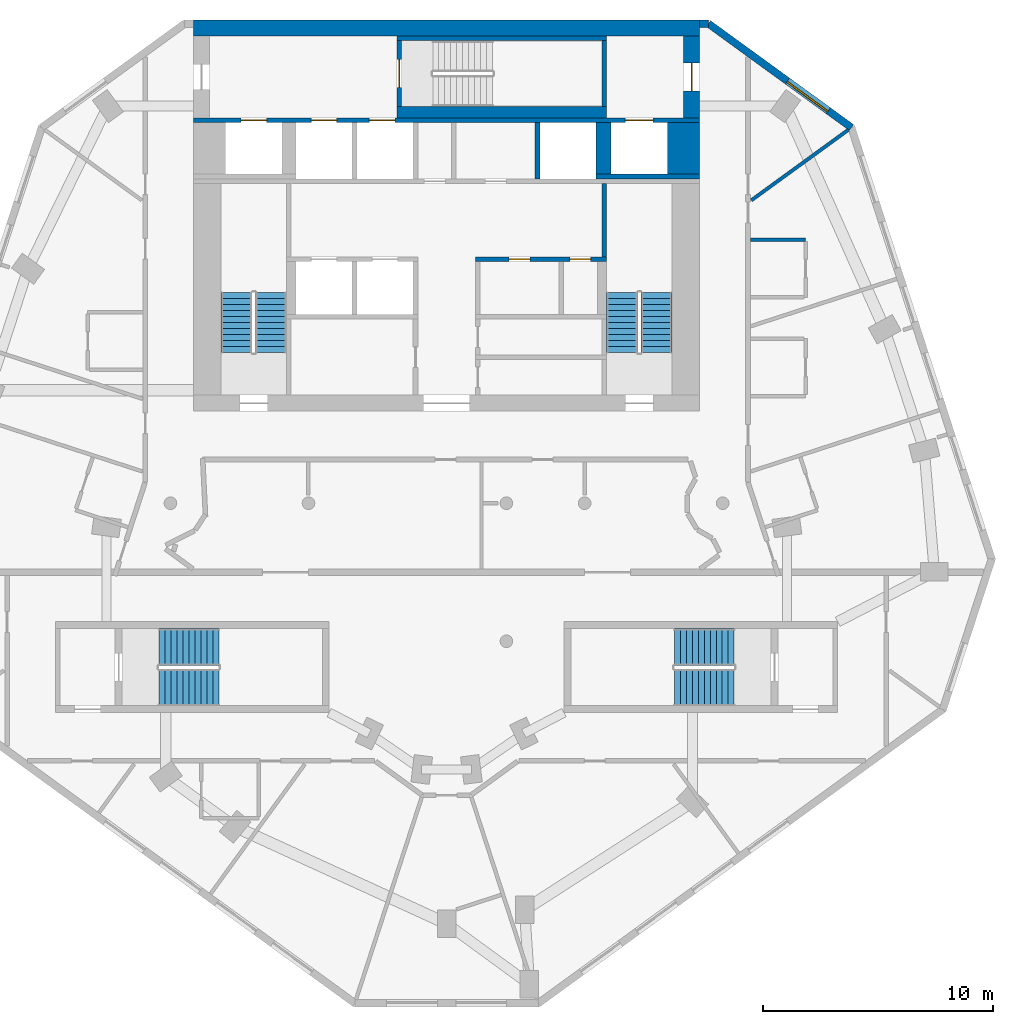
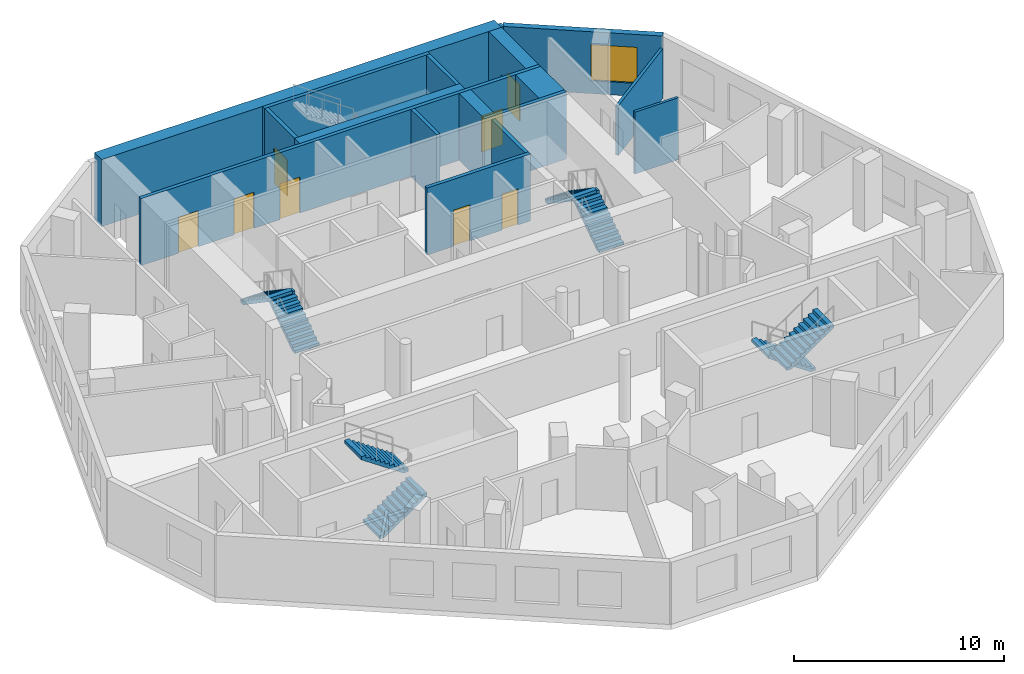
# One storey, part 6 of 9: 17 walls, 8 doors, 8 stair flights, 1 window, 9 openings, 4 elements without a shape of their own.
"""IFC4 building model written with IfcOpenShell, lengths in metres."""

from ifc_helpers import new_model, si_unit, direction, frame, frame_2d, origin, place, context, subcontext, project, spatial, polyline, rectangle, outline, extrude, material, layer, layer_set, type_object, element, fill, aggregate, save


model = new_model("IFC4")

# Units and contexts
model_context = context("Model", 3, precision=1e-05, world=origin(), true_north=direction((0.0, 1.0)))
body_context = subcontext(model_context, "Body", "Model", "MODEL_VIEW")
ifc_project = project(units=[si_unit("LENGTHUNIT", "METRE"), si_unit("AREAUNIT", "SQUARE_METRE"), si_unit("VOLUMEUNIT", "CUBIC_METRE"), si_unit("PLANEANGLEUNIT", "RADIAN"), si_unit("MASSUNIT", "GRAM", prefix="KILO")], contexts=[model_context])

# Site, building, storey
site_placement = place(None, origin())
site = spatial("IfcSite", under=ifc_project, at=site_placement, CompositionType="ELEMENT")
building_placement = place(site_placement, origin())
building = spatial("IfcBuilding", under=site, at=building_placement, Name="White Candle Pilgrim Tower", CompositionType="ELEMENT")
storey_placement = place(building_placement, frame((0.0, 0.0, 252.199951171875)))
storey = spatial("IfcBuildingStorey", under=building, at=storey_placement, Name="L59", CompositionType="ELEMENT", Elevation=252.199951171875)

# Walls
ifc_material_1 = material(Name="Concrete C50/60", Category="concrete")
ifc_layer_1 = layer(ifc_material_1, 1.39990234375)
ifc_layer_set_1 = layer_set([ifc_layer_1], Name="Core wall 1400 mm Concrete C50/60")
wall_type_1 = type_object("IfcWallType", Name="Core wall 1400 mm Concrete C50/60", PredefinedType="SHEAR", material=ifc_layer_set_1)
wall_1_placement = place(storey_placement, frame((80.300048828125, 81.300048828125, 0.0), z_axis=(0.0, 0.0, 1.0), x_axis=(0.0, 1.0, 0.0)))
element("IfcWall", 1, at=wall_1_placement, inside=storey, type_object=wall_type_1, Name="WL-L59-C43", PredefinedType="SHEAR", context=body_context, shape_type="SweptSolid", body=[
    extrude(rectangle(XDim=2.25, YDim=1.39990234375, at=frame_2d((1.125, 0.0))), origin(), (0.0, 0.0, 1.0), 3.900146484375),
])
ifc_layer_2 = layer(ifc_material_1, 0.199951171875)
ifc_layer_set_2 = layer_set([ifc_layer_2], Name="Core wall 200 mm Concrete C50/60")
wall_type_2 = type_object("IfcWallType", Name="Core wall 200 mm Concrete C50/60", PredefinedType="SHEAR", material=ifc_layer_set_2)
wall_2_placement = place(storey_placement, frame((76.5, 81.199951171875, 0.0), z_axis=(0.0, 0.0, 1.0), x_axis=(1.0, 0.0, 0.0)))
element("IfcWall", 2, at=wall_2_placement, inside=storey, type_object=wall_type_2, Name="WL-L59-C39", PredefinedType="SHEAR", context=body_context, shape_type="SweptSolid", body=[
    extrude(rectangle(XDim=4.5, YDim=0.199951171875, at=frame_2d((2.25, 0.0))), origin(), (0.0, 0.0, 1.0), 3.900146484375),
])

# Wall, openings, doors
wall_3_placement = place(storey_placement, frame((59.0, 83.64990234375, 0.0), z_axis=(0.0, 0.0, 1.0), x_axis=(1.0, 0.0, 0.0)))
wall_3 = element("IfcWall", 3, at=wall_3_placement, inside=storey, type_object=wall_type_2, Name="WL-L59-C44", PredefinedType="SHEAR", context=body_context, shape_type="SweptSolid", body=[
    extrude(rectangle(XDim=22.0, YDim=0.199951171875, at=frame_2d((11.0, 0.0))), origin(), (0.0, 0.0, 1.0), 3.900146484375),
])
opening_1_placement = place(wall_3_placement, frame((5.125, 0.0, 0.0)))
opening_1 = element("IfcOpeningElement", 4, at=opening_1_placement, cuts=wall_3, Name="Opening T18-016", PredefinedType="OPENING", context=body_context, shape_type="SweptSolid", body=[
    extrude(rectangle(XDim=1.10009765625, YDim=2.10009765625, at=frame_2d((0.550048828125, 1.050048828125))), frame((0.0, 0.10986328125, 0.0), z_axis=(0.0, -1.0, 0.0), x_axis=(1.0, 0.0, 0.0)), (0.0, 0.0, 1.0), 0.219970703125),
])
opening_2_placement = place(wall_3_placement, frame((7.64990234375, 0.0, 0.0)))
opening_2 = element("IfcOpeningElement", 5, at=opening_2_placement, cuts=wall_3, Name="Opening T18-017", PredefinedType="OPENING", context=body_context, shape_type="SweptSolid", body=[
    extrude(rectangle(XDim=1.10009765625, YDim=2.10009765625, at=frame_2d((0.550048828125, 1.050048828125))), frame((0.0, 0.10986328125, 0.0), z_axis=(0.0, -1.0, 0.0), x_axis=(1.0, 0.0, 0.0)), (0.0, 0.0, 1.0), 0.219970703125),
])
opening_3_placement = place(wall_3_placement, frame((18.77490234375, 0.0, 0.0)))
opening_3 = element("IfcOpeningElement", 6, at=opening_3_placement, cuts=wall_3, Name="Opening T18-018", PredefinedType="OPENING", context=body_context, shape_type="SweptSolid", body=[
    extrude(rectangle(XDim=1.199951171875, YDim=2.10009765625, at=frame_2d((0.60009765625, 1.050048828125))), frame((0.0, 0.10986328125, 0.0), z_axis=(0.0, -1.0, 0.0), x_axis=(1.0, 0.0, 0.0)), (0.0, 0.0, 1.0), 0.219970703125),
])
opening_4_placement = place(wall_3_placement, frame((2.074951171875, 0.0, 0.0)))
opening_4 = element("IfcOpeningElement", 7, at=opening_4_placement, cuts=wall_3, Name="Opening T18-019", PredefinedType="OPENING", context=body_context, shape_type="SweptSolid", body=[
    extrude(rectangle(XDim=1.10009765625, YDim=2.10009765625, at=frame_2d((0.550048828125, 1.050048828125))), frame((0.0, 0.10986328125, 0.0), z_axis=(0.0, -1.0, 0.0), x_axis=(1.0, 0.0, 0.0)), (0.0, 0.0, 1.0), 0.219970703125),
])
ifc_material_2 = material(Name="Stainless steel", Category="steel")
door_type_1 = type_object("IfcDoorType", Name="Lift landing door 1100 x 2100 EI 60", OperationType="DOUBLE_DOOR_SLIDING", PredefinedType="DOOR", material=ifc_material_2)
door_1_placement = place(opening_1_placement, origin())
door_1 = element("IfcDoor", 8, at=door_1_placement, inside=storey, type_object=door_type_1, Name="Door T18-016", OperationType="DOUBLE_DOOR_SLIDING", OverallHeight=2.10009765625, OverallWidth=1.10009765625, PredefinedType="DOOR", context=body_context, shape_type="SweptSolid", body=[
    extrude(rectangle(XDim=1.10009765625, YDim=2.10009765625, at=frame_2d((0.550048828125, 1.050048828125))), frame((0.0, 0.02490234375, 0.0), z_axis=(0.0, -1.0, 0.0), x_axis=(1.0, 0.0, 0.0)), (0.0, 0.0, 1.0), 0.050048828125),
])
fill(opening_1, door_1)
door_2_placement = place(opening_2_placement, origin())
door_2 = element("IfcDoor", 9, at=door_2_placement, inside=storey, type_object=door_type_1, Name="Door T18-017", OperationType="DOUBLE_DOOR_SLIDING", OverallHeight=2.10009765625, OverallWidth=1.10009765625, PredefinedType="DOOR", context=body_context, shape_type="SweptSolid", body=[
    extrude(rectangle(XDim=1.10009765625, YDim=2.10009765625, at=frame_2d((0.550048828125, 1.050048828125))), frame((0.0, 0.02490234375, 0.0), z_axis=(0.0, -1.0, 0.0), x_axis=(1.0, 0.0, 0.0)), (0.0, 0.0, 1.0), 0.050048828125),
])
fill(opening_2, door_2)
door_3_placement = place(opening_4_placement, origin())
door_3 = element("IfcDoor", 10, at=door_3_placement, inside=storey, type_object=door_type_1, Name="Door T18-019", OperationType="DOUBLE_DOOR_SLIDING", OverallHeight=2.10009765625, OverallWidth=1.10009765625, PredefinedType="DOOR", context=body_context, shape_type="SweptSolid", body=[
    extrude(rectangle(XDim=1.10009765625, YDim=2.10009765625, at=frame_2d((0.550048828125, 1.050048828125))), frame((0.0, 0.02490234375, 0.0), z_axis=(0.0, -1.0, 0.0), x_axis=(1.0, 0.0, 0.0)), (0.0, 0.0, 1.0), 0.050048828125),
])
fill(opening_4, door_3)
door_type_2 = type_object("IfcDoorType", Name="Lift landing door 1200 x 2100 E 60", OperationType="DOUBLE_DOOR_SLIDING", PredefinedType="DOOR", material=ifc_material_2)
door_4_placement = place(opening_3_placement, origin())
door_4 = element("IfcDoor", 11, at=door_4_placement, inside=storey, type_object=door_type_2, Name="Door T18-018", OperationType="DOUBLE_DOOR_SLIDING", OverallHeight=2.10009765625, OverallWidth=1.199951171875, PredefinedType="DOOR", context=body_context, shape_type="SweptSolid", body=[
    extrude(rectangle(XDim=1.199951171875, YDim=2.10009765625, at=frame_2d((0.60009765625, 1.050048828125))), frame((0.0, 0.02490234375, 0.0), z_axis=(0.0, -1.0, 0.0), x_axis=(1.0, 0.0, 0.0)), (0.0, 0.0, 1.0), 0.050048828125),
])
fill(opening_3, door_4)

# Wall, opening, door
ifc_layer_3 = layer(ifc_material_1, 0.699951171875)
ifc_layer_set_3 = layer_set([ifc_layer_3], Name="Core wall 700 mm Concrete C50/60")
wall_type_3 = type_object("IfcWallType", Name="Core wall 700 mm Concrete C50/60", PredefinedType="SHEAR", material=ifc_layer_set_3)
wall_4_placement = place(storey_placement, frame((80.64990234375, 83.75, 0.0), z_axis=(0.0, 0.0, 1.0), x_axis=(0.0, 1.0, 0.0)))
wall_4 = element("IfcWall", 12, at=wall_4_placement, inside=storey, type_object=wall_type_3, Name="WL-L59-C47", PredefinedType="SHEAR", context=body_context, shape_type="SweptSolid", body=[
    extrude(rectangle(XDim=3.550048828125, YDim=0.699951171875, at=frame_2d((1.77490234375, 0.0))), origin(), (0.0, 0.0, 1.0), 3.900146484375),
])
opening_5_placement = place(wall_4_placement, frame((1.175048828125, 0.0, 0.0)))
opening_5 = element("IfcOpeningElement", 13, at=opening_5_placement, cuts=wall_4, Name="Opening T18-009", PredefinedType="OPENING", context=body_context, shape_type="SweptSolid", body=[
    extrude(rectangle(XDim=1.199951171875, YDim=2.10009765625, at=frame_2d((0.60009765625, 1.050048828125))), frame((0.0, 0.35986328125, 0.0), z_axis=(0.0, -1.0, 0.0), x_axis=(1.0, 0.0, 0.0)), (0.0, 0.0, 1.0), 0.719970703125),
])
ifc_material_3 = material(Name="Steel door leaf", Category="steel")
door_type_3 = type_object("IfcDoorType", Name="Fire door 1200 x 2100 EI 30", OperationType="NOTDEFINED", PredefinedType="DOOR", material=ifc_material_3)
door_5_placement = place(opening_5_placement, origin())
door_5 = element("IfcDoor", 14, at=door_5_placement, inside=storey, type_object=door_type_3, Name="Door T18-009", OperationType="SINGLE_SWING_LEFT", OverallHeight=2.10009765625, OverallWidth=1.199951171875, PredefinedType="DOOR", context=body_context, shape_type="SweptSolid", body=[
    extrude(rectangle(XDim=1.199951171875, YDim=2.10009765625, at=frame_2d((0.60009765625, 1.050048828125))), frame((0.0, 0.02490234375, 0.0), z_axis=(0.0, -1.0, 0.0), x_axis=(1.0, 0.0, 0.0)), (0.0, 0.0, 1.0), 0.050048828125),
])
fill(opening_5, door_5)

# Wall
wall_5_placement = place(storey_placement, frame((59.0, 87.64990234375, 0.0), z_axis=(0.0, 0.0, 1.0), x_axis=(1.0, 0.0, 0.0)))
element("IfcWall", 15, at=wall_5_placement, inside=storey, type_object=wall_type_3, Name="WL-L59-C51", PredefinedType="SHEAR", context=body_context, shape_type="SweptSolid", body=[
    extrude(rectangle(XDim=22.0, YDim=0.699951171875, at=frame_2d((11.0, 0.0))), origin(), (0.0, 0.0, 1.0), 3.900146484375),
])

# Wall, opening, window
ifc_material_4 = material(Name="Precast concrete C40/50", Category="concrete")
ifc_layer_4 = layer(ifc_material_4, 0.320068359375)
ifc_layer_set_4 = layer_set([ifc_layer_4], Name="Facade wall EW1 precast concrete C40/50 pier wall with timber-lined reveals")
wall_type_4 = type_object("IfcWallType", Name="Facade wall EW1 precast concrete C40/50 pier wall with timber-lined reveals", PredefinedType="SOLIDWALL", material=ifc_layer_set_4)
wall_6_placement = place(storey_placement, frame((87.5966796875, 83.326904296875, 0.0), z_axis=(0.0, 0.0, 1.0), x_axis=(-0.809008247786, 0.587797290751, 0.0)))
wall_6 = element("IfcWall", 16, at=wall_6_placement, inside=storey, type_object=wall_type_4, Name="Facade wall L59 NE chamfer", PredefinedType="SOLIDWALL", context=body_context, shape_type="SweptSolid", body=[
    extrude(rectangle(XDim=7.67822265625, YDim=0.320068359375, at=frame_2d((3.839111328125, 0.0))), origin(), (0.0, 0.0, 1.0), 3.60009765625),
])
opening_6_placement = place(wall_6_placement, frame((1.239013671875, 0.0, 0.75)))
opening_6 = element("IfcOpeningElement", 17, at=opening_6_placement, cuts=wall_6, Name="Opening W4", PredefinedType="OPENING", context=body_context, shape_type="SweptSolid", body=[
    extrude(rectangle(XDim=2.199951171875, YDim=2.10009765625, at=frame_2d((1.10009765625, 1.050048828125))), frame((0.0, 0.169921875, 0.0), z_axis=(0.0, -1.0, 0.0), x_axis=(1.0, 0.0, 0.0)), (0.0, 0.0, 1.0), 0.340087890625),
])
ifc_material_5 = material(Name="Timber frame with triple glazing", Category="wood")
window_type = type_object("IfcWindowType", Name="Window W4 2200x2100 timber frame triple glazing", PartitioningType="SINGLE_PANEL", PredefinedType="WINDOW", material=ifc_material_5)
window_placement = place(opening_6_placement, origin())
window = element("IfcWindow", 18, at=window_placement, inside=storey, type_object=window_type, Name="Window W4 L59 NE chamfer 1", OverallHeight=2.10009765625, OverallWidth=2.199951171875, PartitioningType="SINGLE_PANEL", PredefinedType="WINDOW", context=body_context, shape_type="SweptSolid", body=[
    extrude(rectangle(XDim=2.199951171875, YDim=2.10009765625, at=frame_2d((1.10009765625, 1.050048828125))), frame((0.0, 0.070068359375, 0.0), z_axis=(0.0, -1.0, 0.0), x_axis=(1.0, 0.0, 0.0)), (0.0, 0.0, 1.0), 0.06005859375),
])
fill(opening_6, window)

# Walls
wall_7_placement = place(storey_placement, frame((81.385009765625, 87.840087890625, 0.0), z_axis=(0.0, 0.0, 1.0), x_axis=(-1.0, 0.0, 0.0)))
element("IfcWall", 19, at=wall_7_placement, inside=storey, type_object=wall_type_4, Name="Facade wall L59 N", PredefinedType="SOLIDWALL", context=body_context, shape_type="SweptSolid", body=[
    extrude(rectangle(XDim=0.385009765625, YDim=0.320068359375, at=frame_2d((0.1923828125, 0.0))), origin(), (0.0, 0.0, 1.0), 3.60009765625),
])
ifc_material_6 = material(Name="Gypsum board on steel studs", Category="steel")
ifc_layer_5 = layer(ifc_material_6, 0.14990234375)
ifc_layer_set_5 = layer_set([ifc_layer_5], Name="Partition 150 mm EI 60")
wall_type_5 = type_object("IfcWallType", Name="Partition 150 mm EI 60", PredefinedType="PARTITIONING", material=ifc_layer_set_5)
wall_8_placement = place(storey_placement, frame((87.460693359375, 83.22802734375, 0.0), z_axis=(0.0, 0.0, 1.0), x_axis=(-0.809019578294, -0.587781695816, 0.0)))
element("IfcWall", 20, at=wall_8_placement, inside=storey, type_object=wall_type_5, Name="WL-L59-P030", PredefinedType="PARTITIONING", context=body_context, shape_type="SweptSolid", body=[
    extrude(rectangle(XDim=5.2119140625, YDim=0.14990234375, at=frame_2d((2.60595703125, 0.0))), origin(), (0.0, 0.0, 1.0), 2.900146484375),
])
wall_9_placement = place(storey_placement, frame((83.199951171875, 78.451171875, 0.0), z_axis=(0.0, 0.0, 1.0), x_axis=(1.0, 0.0, 0.0)))
element("IfcWall", 21, at=wall_9_placement, inside=storey, type_object=wall_type_5, Name="WL-L59-P051", PredefinedType="PARTITIONING", context=body_context, shape_type="SweptSolid", body=[
    extrude(rectangle(XDim=2.400146484375, YDim=0.14990234375, at=frame_2d((1.2001953125, 0.0))), origin(), (0.0, 0.0, 1.0), 3.60009765625),
])
ifc_layer_6 = layer(ifc_material_1, 0.199951171875)
ifc_layer_set_6 = layer_set([ifc_layer_6], Name="Shaft wall 200 mm Concrete C50/60")
wall_type_6 = type_object("IfcWallType", Name="Shaft wall 200 mm Concrete C50/60", PredefinedType="SHEAR", material=ifc_layer_set_6)
wall_10_placement = place(storey_placement, frame((73.949951171875, 81.10009765625, 0.0), z_axis=(0.0, 0.0, 1.0), x_axis=(0.0, 1.0, 0.0)))
element("IfcWall", 22, at=wall_10_placement, inside=storey, type_object=wall_type_6, Name="WL-L59-C38", PredefinedType="SHEAR", context=body_context, shape_type="SweptSolid", body=[
    extrude(rectangle(XDim=2.449951171875, YDim=0.199951171875, at=frame_2d((1.22509765625, 0.0))), origin(), (0.0, 0.0, 1.0), 3.900146484375),
])
ifc_layer_7 = layer(ifc_material_1, 0.64990234375)
ifc_layer_set_7 = layer_set([ifc_layer_7], Name="Shaft wall 650 mm Concrete C50/60")
wall_type_7 = type_object("IfcWallType", Name="Shaft wall 650 mm Concrete C50/60", PredefinedType="SHEAR", material=ifc_layer_set_7)
wall_11_placement = place(storey_placement, frame((76.824951171875, 81.300048828125, 0.0), z_axis=(0.0, 0.0, 1.0), x_axis=(0.0, 1.0, 0.0)))
element("IfcWall", 23, at=wall_11_placement, inside=storey, type_object=wall_type_7, Name="WL-L59-C42", PredefinedType="SHEAR", context=body_context, shape_type="SweptSolid", body=[
    extrude(rectangle(XDim=2.25, YDim=0.64990234375, at=frame_2d((1.125, 0.0))), origin(), (0.0, 0.0, 1.0), 3.900146484375),
])

# Wall, openings, doors
ifc_layer_8 = layer(ifc_material_1, 0.199951171875)
ifc_layer_set_8 = layer_set([ifc_layer_8], Name="Stair shaft wall 200 mm Concrete C50/60")
wall_type_8 = type_object("IfcWallType", Name="Stair shaft wall 200 mm Concrete C50/60", PredefinedType="SHEAR", material=ifc_layer_set_8)
wall_12_placement = place(storey_placement, frame((71.25, 77.60009765625, 0.0), z_axis=(0.0, 0.0, 1.0), x_axis=(1.0, 0.0, 0.0)))
wall_12 = element("IfcWall", 24, at=wall_12_placement, inside=storey, type_object=wall_type_8, Name="WL-L59-C30", PredefinedType="SHEAR", context=body_context, shape_type="SweptSolid", body=[
    extrude(rectangle(XDim=5.699951171875, YDim=0.199951171875, at=frame_2d((2.85009765625, 0.0))), origin(), (0.0, 0.0, 1.0), 3.900146484375),
])
opening_7_placement = place(wall_12_placement, frame((1.465087890625, 0.0, 0.0)))
opening_7 = element("IfcOpeningElement", 25, at=opening_7_placement, cuts=wall_12, Name="Opening T18-020", PredefinedType="OPENING", context=body_context, shape_type="SweptSolid", body=[
    extrude(rectangle(XDim=0.89990234375, YDim=2.10009765625, at=frame_2d((0.449951171875, 1.050048828125))), frame((0.0, 0.10986328125, 0.0), z_axis=(0.0, -1.0, 0.0), x_axis=(1.0, 0.0, 0.0)), (0.0, 0.0, 1.0), 0.219970703125),
])
opening_8_placement = place(wall_12_placement, frame((4.114990234375, 0.0, 0.0)))
opening_8 = element("IfcOpeningElement", 26, at=opening_8_placement, cuts=wall_12, Name="Opening T18-021", PredefinedType="OPENING", context=body_context, shape_type="SweptSolid", body=[
    extrude(rectangle(XDim=0.89990234375, YDim=2.10009765625, at=frame_2d((0.449951171875, 1.050048828125))), frame((0.0, 0.10986328125, 0.0), z_axis=(0.0, -1.0, 0.0), x_axis=(1.0, 0.0, 0.0)), (0.0, 0.0, 1.0), 0.219970703125),
])
door_type_4 = type_object("IfcDoorType", Name="Fire door 900 x 2100 EI 30", OperationType="NOTDEFINED", PredefinedType="DOOR", material=ifc_material_3)
door_6_placement = place(opening_7_placement, origin())
door_6 = element("IfcDoor", 27, at=door_6_placement, inside=storey, type_object=door_type_4, Name="Door T18-020", OperationType="SINGLE_SWING_RIGHT", OverallHeight=2.10009765625, OverallWidth=0.89990234375, PredefinedType="DOOR", context=body_context, shape_type="SweptSolid", body=[
    extrude(rectangle(XDim=0.89990234375, YDim=2.10009765625, at=frame_2d((0.449951171875, 1.050048828125))), frame((0.0, 0.02490234375, 0.0), z_axis=(0.0, -1.0, 0.0), x_axis=(1.0, 0.0, 0.0)), (0.0, 0.0, 1.0), 0.050048828125),
])
fill(opening_7, door_6)
door_7_placement = place(opening_8_placement, origin())
door_7 = element("IfcDoor", 28, at=door_7_placement, inside=storey, type_object=door_type_4, Name="Door T18-021", OperationType="SINGLE_SWING_LEFT", OverallHeight=2.10009765625, OverallWidth=0.89990234375, PredefinedType="DOOR", context=body_context, shape_type="SweptSolid", body=[
    extrude(rectangle(XDim=0.89990234375, YDim=2.10009765625, at=frame_2d((0.449951171875, 1.050048828125))), frame((0.0, 0.02490234375, 0.0), z_axis=(0.0, -1.0, 0.0), x_axis=(1.0, 0.0, 0.0)), (0.0, 0.0, 1.0), 0.050048828125),
])
fill(opening_8, door_7)

# Wall
wall_13_placement = place(storey_placement, frame((76.85009765625, 77.699951171875, 0.0), z_axis=(0.0, 0.0, 1.0), x_axis=(0.0, 1.0, 0.0)))
element("IfcWall", 29, at=wall_13_placement, inside=storey, type_object=wall_type_8, Name="WL-L59-C32", PredefinedType="SHEAR", context=body_context, shape_type="SweptSolid", body=[
    extrude(rectangle(XDim=3.199951171875, YDim=0.199951171875, at=frame_2d((1.60009765625, 0.0))), origin(), (0.0, 0.0, 1.0), 3.900146484375),
])

# Wall, opening, door
wall_14_placement = place(storey_placement, frame((67.949951171875, 84.25, 0.0), z_axis=(0.0, 0.0, 1.0), x_axis=(0.0, 1.0, 0.0)))
wall_14 = element("IfcWall", 30, at=wall_14_placement, inside=storey, type_object=wall_type_8, Name="WL-L59-C48", PredefinedType="SHEAR", context=body_context, shape_type="SweptSolid", body=[
    extrude(rectangle(XDim=2.85009765625, YDim=0.199951171875, at=frame_2d((1.425048828125, 0.0))), origin(), (0.0, 0.0, 1.0), 3.900146484375),
])
opening_9_placement = place(wall_14_placement, frame((0.824951171875, 0.0, 0.0)))
opening_9 = element("IfcOpeningElement", 31, at=opening_9_placement, cuts=wall_14, Name="Opening T18-003", PredefinedType="OPENING", context=body_context, shape_type="SweptSolid", body=[
    extrude(rectangle(XDim=1.199951171875, YDim=2.10009765625, at=frame_2d((0.60009765625, 1.050048828125))), frame((0.0, 0.10986328125, 0.0), z_axis=(0.0, -1.0, 0.0), x_axis=(1.0, 0.0, 0.0)), (0.0, 0.0, 1.0), 0.219970703125),
])
door_type_5 = type_object("IfcDoorType", Name="Fire door 1200 x 2100 EI 60", OperationType="NOTDEFINED", PredefinedType="DOOR", material=ifc_material_3)
door_8_placement = place(opening_9_placement, frame((1.199951171875, 0.0, 0.0), z_axis=(0.0, 0.0, 1.0), x_axis=(-1.0, 0.0, 0.0)))
door_8 = element("IfcDoor", 32, at=door_8_placement, inside=storey, type_object=door_type_5, Name="Door T18-003", OperationType="SINGLE_SWING_RIGHT", OverallHeight=2.10009765625, OverallWidth=1.199951171875, PredefinedType="DOOR", context=body_context, shape_type="SweptSolid", body=[
    extrude(rectangle(XDim=1.199951171875, YDim=2.10009765625, at=frame_2d((0.60009765625, 1.050048828125))), frame((0.0, 0.02490234375, 0.0), z_axis=(0.0, -1.0, 0.0), x_axis=(1.0, 0.0, 0.0)), (0.0, 0.0, 1.0), 0.050048828125),
])
fill(opening_9, door_8)

# Walls
wall_15_placement = place(storey_placement, frame((76.85009765625, 84.25, 0.0), z_axis=(0.0, 0.0, 1.0), x_axis=(0.0, 1.0, 0.0)))
element("IfcWall", 33, at=wall_15_placement, inside=storey, type_object=wall_type_8, Name="WL-L59-C49", PredefinedType="SHEAR", context=body_context, shape_type="SweptSolid", body=[
    extrude(rectangle(XDim=2.85009765625, YDim=0.199951171875, at=frame_2d((1.425048828125, 0.0))), origin(), (0.0, 0.0, 1.0), 3.900146484375),
])
wall_16_placement = place(storey_placement, frame((67.85009765625, 87.199951171875, 0.0), z_axis=(0.0, 0.0, 1.0), x_axis=(1.0, 0.0, 0.0)))
element("IfcWall", 34, at=wall_16_placement, inside=storey, type_object=wall_type_8, Name="WL-L59-C50", PredefinedType="SHEAR", context=body_context, shape_type="SweptSolid", body=[
    extrude(rectangle(XDim=9.099853515625, YDim=0.199951171875, at=frame_2d((4.5498046875, 0.0))), origin(), (0.0, 0.0, 1.0), 3.900146484375),
])
ifc_layer_9 = layer(ifc_material_1, 0.5)
ifc_layer_set_9 = layer_set([ifc_layer_9], Name="Stair shaft wall 500 mm Concrete C50/60")
wall_type_9 = type_object("IfcWallType", Name="Stair shaft wall 500 mm Concrete C50/60", PredefinedType="SHEAR", material=ifc_layer_set_9)
wall_17_placement = place(storey_placement, frame((67.85009765625, 84.0, 0.0), z_axis=(0.0, 0.0, 1.0), x_axis=(1.0, 0.0, 0.0)))
element("IfcWall", 35, at=wall_17_placement, inside=storey, type_object=wall_type_9, Name="WL-L59-C46", PredefinedType="SHEAR", context=body_context, shape_type="SweptSolid", body=[
    extrude(rectangle(XDim=9.099853515625, YDim=0.5, at=frame_2d((4.5498046875, 0.0))), origin(), (0.0, 0.0, 1.0), 3.900146484375),
])

# Stair, stair flights
ifc_material_7 = material(Name="Concrete C40/50", Category="concrete")
stair_type_1 = type_object("IfcStairType", Name="Exit stair 1 flight width 1350 mm", PredefinedType="HALF_TURN_STAIR", material=ifc_material_7)
stair_1_placement = place(storey_placement, origin())
stair_1 = element("IfcStair", 36, at=stair_1_placement, inside=storey, type_object=stair_type_1, Name="L59 stair 1", PredefinedType="NOTDEFINED")
ifc_layer_10 = layer(ifc_material_7, 0.14990234375)
ifc_layer_set_10 = layer_set([ifc_layer_10], Name="Stair flight Concrete C40/50")
stair_flight_type = type_object("IfcStairFlightType", Name="Stair flight Concrete C40/50", PredefinedType="STRAIGHT", material=ifc_layer_set_10)
stair_flight_1_placement = place(storey_placement, frame((62.375, 73.550048828125, 0.0), z_axis=(0.0, 0.0, 1.0), x_axis=(0.0, 1.0, 0.0)))
stair_flight_1 = element("IfcStairFlight", 37, at=stair_flight_1_placement, type_object=stair_flight_type, Name="ST1 flight 1", NumberOfRisers=11, NumberOfTreads=10, PredefinedType="NOTDEFINED", RiserHeight=0.177272727, TreadLength=0.26, context=body_context, shape_type="SweptSolid", body=[
    extrude(outline(polyline([(0.0, 0.0), (0.0, 0.17724609375), (0.260009765625, 0.17724609375), (0.260009765625, 0.3544921875), (0.52001953125, 0.3544921875), (0.52001953125, 0.53173828125), (0.780029296875, 0.53173828125), (0.780029296875, 0.708984375), (1.0400390625, 0.708984375), (1.0400390625, 0.886474609375), (1.300048828125, 0.886474609375), (1.300048828125, 1.063720703125), (1.56005859375, 1.063720703125), (1.56005859375, 1.240966796875), (1.820068359375, 1.240966796875), (1.820068359375, 1.418212890625), (2.080078125, 1.418212890625), (2.080078125, 1.595458984375), (2.340087890625, 1.595458984375), (2.340087890625, 1.772705078125), (2.60009765625, 1.772705078125), (2.60009765625, 1.949951171875), (2.60009765625, 1.59130859375), (0.26611328125, 0.0), (0.0, 0.0)])), frame((0.0, 0.675048828125, 0.0), z_axis=(0.0, -1.0, 0.0), x_axis=(1.0, 0.0, 0.0)), (0.0, 0.0, 1.0), 1.35009765625),
])
stair_flight_2_placement = place(storey_placement, frame((60.875, 76.14990234375, 1.949951171875), z_axis=(0.0, 0.0, 1.0), x_axis=(0.0, -1.0, 0.0)))
stair_flight_2 = element("IfcStairFlight", 38, at=stair_flight_2_placement, type_object=stair_flight_type, Name="ST1 flight 2", NumberOfRisers=11, NumberOfTreads=10, PredefinedType="NOTDEFINED", RiserHeight=0.177272727, TreadLength=0.26, context=body_context, shape_type="SweptSolid", body=[
    extrude(outline(polyline([(0.0, 0.0), (0.0, 0.17724609375), (0.260009765625, 0.17724609375), (0.260009765625, 0.3544921875), (0.52001953125, 0.3544921875), (0.52001953125, 0.53173828125), (0.780029296875, 0.53173828125), (0.780029296875, 0.708984375), (1.0400390625, 0.708984375), (1.0400390625, 0.886474609375), (1.300048828125, 0.886474609375), (1.300048828125, 1.063720703125), (1.56005859375, 1.063720703125), (1.56005859375, 1.240966796875), (1.820068359375, 1.240966796875), (1.820068359375, 1.418212890625), (2.080078125, 1.418212890625), (2.080078125, 1.595458984375), (2.340087890625, 1.595458984375), (2.340087890625, 1.772705078125), (2.60009765625, 1.772705078125), (2.60009765625, 1.949951171875), (2.60009765625, 1.59130859375), (0.26611328125, 0.0), (0.0, 0.0)])), frame((0.0, 0.675048828125, 0.0), z_axis=(0.0, -1.0, 0.0), x_axis=(1.0, 0.0, 0.0)), (0.0, 0.0, 1.0), 1.35009765625),
])
aggregate(stair_1, [stair_flight_1, stair_flight_2])

stair_type_2 = type_object("IfcStairType", Name="Exit stair 2 flight width 1350 mm", PredefinedType="HALF_TURN_STAIR", material=ifc_material_7)
stair_2_placement = place(storey_placement, origin())
stair_2 = element("IfcStair", 39, at=stair_2_placement, inside=storey, type_object=stair_type_2, Name="L59 stair 2", PredefinedType="NOTDEFINED")
stair_flight_3_placement = place(storey_placement, frame((79.125, 73.550048828125, 0.0), z_axis=(0.0, 0.0, 1.0), x_axis=(0.0, 1.0, 0.0)))
stair_flight_3 = element("IfcStairFlight", 40, at=stair_flight_3_placement, type_object=stair_flight_type, Name="ST2 flight 1", NumberOfRisers=11, NumberOfTreads=10, PredefinedType="NOTDEFINED", RiserHeight=0.177272727, TreadLength=0.26, context=body_context, shape_type="SweptSolid", body=[
    extrude(outline(polyline([(0.0, 0.0), (0.0, 0.17724609375), (0.260009765625, 0.17724609375), (0.260009765625, 0.3544921875), (0.52001953125, 0.3544921875), (0.52001953125, 0.53173828125), (0.780029296875, 0.53173828125), (0.780029296875, 0.708984375), (1.0400390625, 0.708984375), (1.0400390625, 0.886474609375), (1.300048828125, 0.886474609375), (1.300048828125, 1.063720703125), (1.56005859375, 1.063720703125), (1.56005859375, 1.240966796875), (1.820068359375, 1.240966796875), (1.820068359375, 1.418212890625), (2.080078125, 1.418212890625), (2.080078125, 1.595458984375), (2.340087890625, 1.595458984375), (2.340087890625, 1.772705078125), (2.60009765625, 1.772705078125), (2.60009765625, 1.949951171875), (2.60009765625, 1.59130859375), (0.26611328125, 0.0), (0.0, 0.0)])), frame((0.0, 0.675048828125, 0.0), z_axis=(0.0, -1.0, 0.0), x_axis=(1.0, 0.0, 0.0)), (0.0, 0.0, 1.0), 1.35009765625),
])
stair_flight_4_placement = place(storey_placement, frame((77.625, 76.14990234375, 1.949951171875), z_axis=(0.0, 0.0, 1.0), x_axis=(0.0, -1.0, 0.0)))
stair_flight_4 = element("IfcStairFlight", 41, at=stair_flight_4_placement, type_object=stair_flight_type, Name="ST2 flight 2", NumberOfRisers=11, NumberOfTreads=10, PredefinedType="NOTDEFINED", RiserHeight=0.177272727, TreadLength=0.26, context=body_context, shape_type="SweptSolid", body=[
    extrude(outline(polyline([(0.0, 0.0), (0.0, 0.17724609375), (0.260009765625, 0.17724609375), (0.260009765625, 0.3544921875), (0.52001953125, 0.3544921875), (0.52001953125, 0.53173828125), (0.780029296875, 0.53173828125), (0.780029296875, 0.708984375), (1.0400390625, 0.708984375), (1.0400390625, 0.886474609375), (1.300048828125, 0.886474609375), (1.300048828125, 1.063720703125), (1.56005859375, 1.063720703125), (1.56005859375, 1.240966796875), (1.820068359375, 1.240966796875), (1.820068359375, 1.418212890625), (2.080078125, 1.418212890625), (2.080078125, 1.595458984375), (2.340087890625, 1.595458984375), (2.340087890625, 1.772705078125), (2.60009765625, 1.772705078125), (2.60009765625, 1.949951171875), (2.60009765625, 1.59130859375), (0.26611328125, 0.0), (0.0, 0.0)])), frame((0.0, 0.675048828125, 0.0), z_axis=(0.0, -1.0, 0.0), x_axis=(1.0, 0.0, 0.0)), (0.0, 0.0, 1.0), 1.35009765625),
])
aggregate(stair_2, [stair_flight_3, stair_flight_4])

stair_type_3 = type_object("IfcStairType", Name="Exit stair 4 flight width 1600 mm", PredefinedType="HALF_TURN_STAIR", material=ifc_material_7)
stair_3_placement = place(storey_placement, origin())
stair_3 = element("IfcStair", 42, at=stair_3_placement, inside=storey, type_object=stair_type_3, Name="L59 stair 4", PredefinedType="NOTDEFINED")
stair_flight_5_placement = place(storey_placement, frame((82.5, 60.75, 0.0), z_axis=(0.0, 0.0, 1.0), x_axis=(-1.0, 0.0, 0.0)))
stair_flight_5 = element("IfcStairFlight", 43, at=stair_flight_5_placement, type_object=stair_flight_type, Name="ST4 flight 1", NumberOfRisers=11, NumberOfTreads=10, PredefinedType="NOTDEFINED", RiserHeight=0.177272727, TreadLength=0.26, context=body_context, shape_type="SweptSolid", body=[
    extrude(outline(polyline([(0.0, 0.0), (0.0, 0.17724609375), (0.260009765625, 0.17724609375), (0.260009765625, 0.3544921875), (0.52001953125, 0.3544921875), (0.52001953125, 0.53173828125), (0.780029296875, 0.53173828125), (0.780029296875, 0.708984375), (1.0400390625, 0.708984375), (1.0400390625, 0.886474609375), (1.300048828125, 0.886474609375), (1.300048828125, 1.063720703125), (1.56005859375, 1.063720703125), (1.56005859375, 1.240966796875), (1.820068359375, 1.240966796875), (1.820068359375, 1.418212890625), (2.080078125, 1.418212890625), (2.080078125, 1.595458984375), (2.340087890625, 1.595458984375), (2.340087890625, 1.772705078125), (2.60009765625, 1.772705078125), (2.60009765625, 1.949951171875), (2.60009765625, 1.59130859375), (0.26611328125, 0.0), (0.0, 0.0)])), frame((0.0, 0.800048828125, 0.0), z_axis=(0.0, -1.0, 0.0), x_axis=(1.0, 0.0, 0.0)), (0.0, 0.0, 1.0), 1.60009765625),
])
stair_flight_6_placement = place(storey_placement, frame((79.89990234375, 59.0, 1.949951171875), z_axis=(0.0, 0.0, 1.0), x_axis=(1.0, 0.0, 0.0)))
stair_flight_6 = element("IfcStairFlight", 44, at=stair_flight_6_placement, type_object=stair_flight_type, Name="ST4 flight 2", NumberOfRisers=11, NumberOfTreads=10, PredefinedType="NOTDEFINED", RiserHeight=0.177272727, TreadLength=0.26, context=body_context, shape_type="SweptSolid", body=[
    extrude(outline(polyline([(0.0, 0.0), (0.0, 0.17724609375), (0.260009765625, 0.17724609375), (0.260009765625, 0.3544921875), (0.52001953125, 0.3544921875), (0.52001953125, 0.53173828125), (0.780029296875, 0.53173828125), (0.780029296875, 0.708984375), (1.0400390625, 0.708984375), (1.0400390625, 0.886474609375), (1.300048828125, 0.886474609375), (1.300048828125, 1.063720703125), (1.56005859375, 1.063720703125), (1.56005859375, 1.240966796875), (1.820068359375, 1.240966796875), (1.820068359375, 1.418212890625), (2.080078125, 1.418212890625), (2.080078125, 1.595458984375), (2.340087890625, 1.595458984375), (2.340087890625, 1.772705078125), (2.60009765625, 1.772705078125), (2.60009765625, 1.949951171875), (2.60009765625, 1.59130859375), (0.26611328125, 0.0), (0.0, 0.0)])), frame((0.0, 0.800048828125, 0.0), z_axis=(0.0, -1.0, 0.0), x_axis=(1.0, 0.0, 0.0)), (0.0, 0.0, 1.0), 1.60009765625),
])
aggregate(stair_3, [stair_flight_5, stair_flight_6])

stair_type_4 = type_object("IfcStairType", Name="Exit stair 5 flight width 1600 mm", PredefinedType="HALF_TURN_STAIR", material=ifc_material_7)
stair_4_placement = place(storey_placement, origin())
stair_4 = element("IfcStair", 45, at=stair_4_placement, inside=storey, type_object=stair_type_4, Name="L59 stair 5", PredefinedType="NOTDEFINED")
stair_flight_7_placement = place(storey_placement, frame((57.5, 59.0, 0.0), z_axis=(0.0, 0.0, 1.0), x_axis=(1.0, 0.0, 0.0)))
stair_flight_7 = element("IfcStairFlight", 46, at=stair_flight_7_placement, type_object=stair_flight_type, Name="ST5 flight 1", NumberOfRisers=11, NumberOfTreads=10, PredefinedType="NOTDEFINED", RiserHeight=0.177272727, TreadLength=0.26, context=body_context, shape_type="SweptSolid", body=[
    extrude(outline(polyline([(0.0, 0.0), (0.0, 0.17724609375), (0.260009765625, 0.17724609375), (0.260009765625, 0.3544921875), (0.52001953125, 0.3544921875), (0.52001953125, 0.53173828125), (0.780029296875, 0.53173828125), (0.780029296875, 0.708984375), (1.0400390625, 0.708984375), (1.0400390625, 0.886474609375), (1.300048828125, 0.886474609375), (1.300048828125, 1.063720703125), (1.56005859375, 1.063720703125), (1.56005859375, 1.240966796875), (1.820068359375, 1.240966796875), (1.820068359375, 1.418212890625), (2.080078125, 1.418212890625), (2.080078125, 1.595458984375), (2.340087890625, 1.595458984375), (2.340087890625, 1.772705078125), (2.60009765625, 1.772705078125), (2.60009765625, 1.949951171875), (2.60009765625, 1.59130859375), (0.26611328125, 0.0), (0.0, 0.0)])), frame((0.0, 0.800048828125, 0.0), z_axis=(0.0, -1.0, 0.0), x_axis=(1.0, 0.0, 0.0)), (0.0, 0.0, 1.0), 1.60009765625),
])
stair_flight_8_placement = place(storey_placement, frame((60.10009765625, 60.75, 1.949951171875), z_axis=(0.0, 0.0, 1.0), x_axis=(-1.0, 0.0, 0.0)))
stair_flight_8 = element("IfcStairFlight", 47, at=stair_flight_8_placement, type_object=stair_flight_type, Name="ST5 flight 2", NumberOfRisers=11, NumberOfTreads=10, PredefinedType="NOTDEFINED", RiserHeight=0.177272727, TreadLength=0.26, context=body_context, shape_type="SweptSolid", body=[
    extrude(outline(polyline([(0.0, 0.0), (0.0, 0.17724609375), (0.260009765625, 0.17724609375), (0.260009765625, 0.3544921875), (0.52001953125, 0.3544921875), (0.52001953125, 0.53173828125), (0.780029296875, 0.53173828125), (0.780029296875, 0.708984375), (1.0400390625, 0.708984375), (1.0400390625, 0.886474609375), (1.300048828125, 0.886474609375), (1.300048828125, 1.063720703125), (1.56005859375, 1.063720703125), (1.56005859375, 1.240966796875), (1.820068359375, 1.240966796875), (1.820068359375, 1.418212890625), (2.080078125, 1.418212890625), (2.080078125, 1.595458984375), (2.340087890625, 1.595458984375), (2.340087890625, 1.772705078125), (2.60009765625, 1.772705078125), (2.60009765625, 1.949951171875), (2.60009765625, 1.59130859375), (0.26611328125, 0.0), (0.0, 0.0)])), frame((0.0, 0.800048828125, 0.0), z_axis=(0.0, -1.0, 0.0), x_axis=(1.0, 0.0, 0.0)), (0.0, 0.0, 1.0), 1.60009765625),
])
aggregate(stair_4, [stair_flight_7, stair_flight_8])

save(model, "model.ifc")
